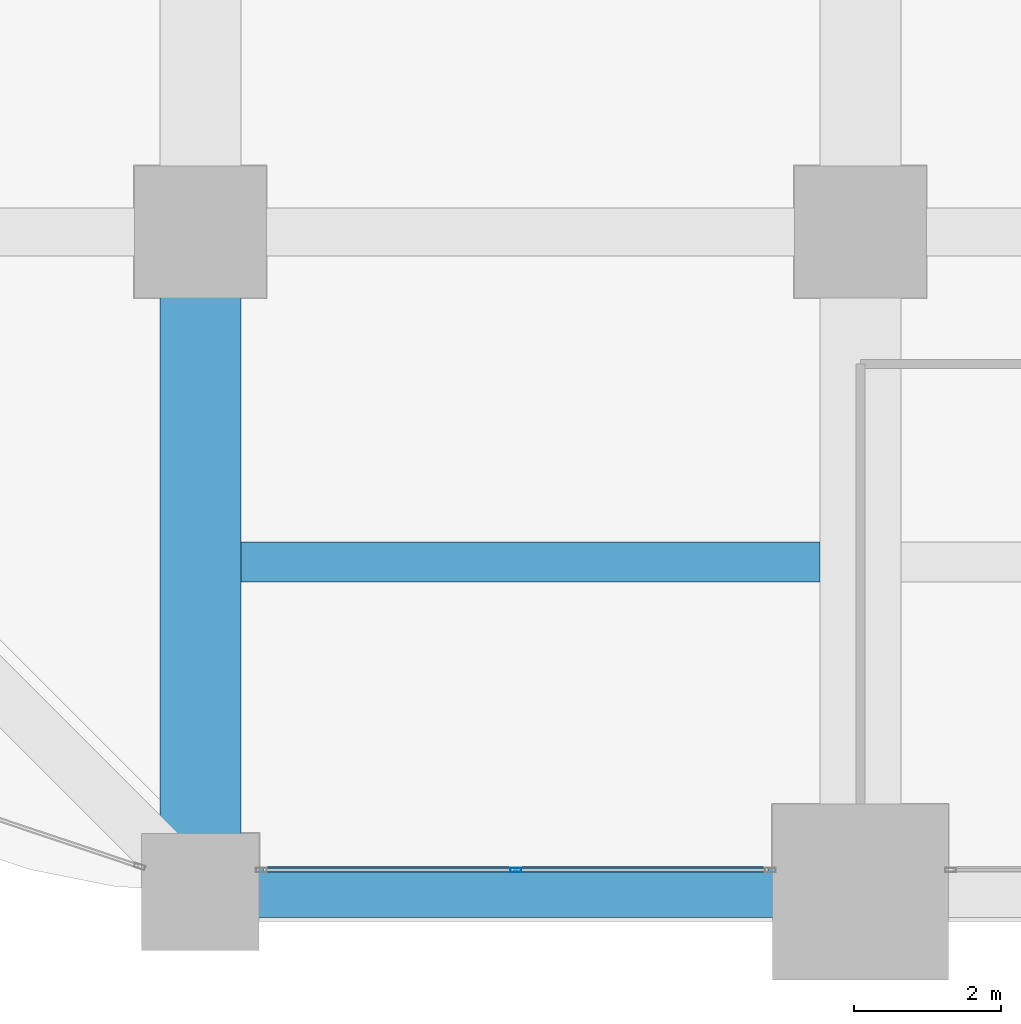
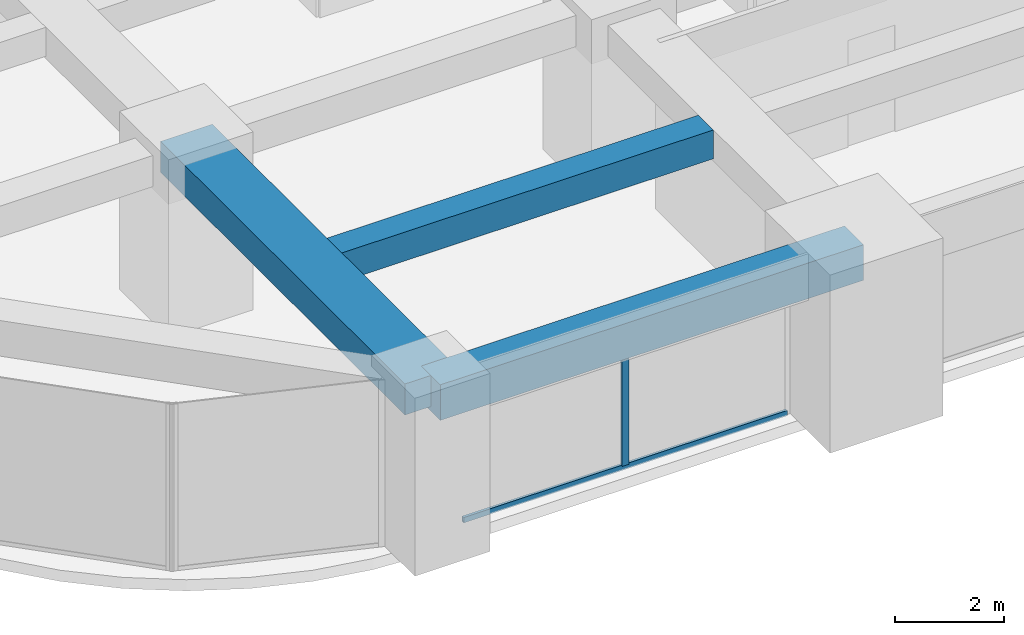
# One storey, part 3 of 39: 3 beams, 2 members, 1 element without a shape of its own.
"""IFC4 building model written with IfcOpenShell, lengths in metres."""

from ifc_helpers import new_model, si_unit, direction, frame, origin, origin_2d, place, context, subcontext, project, spatial, rectangle, hollow_rectangle, extrude, material, material_profile, profile_set, type_object, element, aggregate, save


model = new_model("IFC4")

# Units and contexts
model_context = context("Model", 3, precision=1e-05, world=origin(), true_north=direction((0.0, 1.0)))
body_context = subcontext(model_context, "Body", "Model", "MODEL_VIEW")
ifc_project = project(units=[si_unit("LENGTHUNIT", "METRE"), si_unit("AREAUNIT", "SQUARE_METRE"), si_unit("VOLUMEUNIT", "CUBIC_METRE"), si_unit("PLANEANGLEUNIT", "RADIAN"), si_unit("MASSUNIT", "GRAM", prefix="KILO")], contexts=[model_context])

# Site, building, storey
site_placement = place(None, origin())
site = spatial("IfcSite", under=ifc_project, at=site_placement, CompositionType="ELEMENT")
building_placement = place(site_placement, origin())
building = spatial("IfcBuilding", under=site, at=building_placement, Name="Zorevar Civic Tower", CompositionType="ELEMENT")
storey_placement = place(building_placement, frame((0.0, 0.0, 125.0)))
storey = spatial("IfcBuildingStorey", under=building, at=storey_placement, Name="L30", CompositionType="ELEMENT", Elevation=125.0)

# Beams
ifc_material_1 = material(Name="Concrete C50/60", Category="concrete")
ifc_material_profile_1 = material_profile(ifc_material_1, rectangle(XDim=1.10009765625, YDim=0.699951171875, at=origin_2d()), Name="RC 1100x700")
ifc_profile_set_1 = profile_set([ifc_material_profile_1], Name="Concrete C50/60")
beam_type_1 = type_object("IfcBeamType", Name="Beam RC 1100x700", PredefinedType="BEAM", material=ifc_profile_set_1)
beam_1_placement = place(storey_placement, frame((9.0, 0.0, 3.39990234375), z_axis=(0.0, 1.0, 0.0), x_axis=(-1.0, 0.0, 0.0)))
element("IfcBeam", 1, at=beam_1_placement, inside=storey, type_object=beam_type_1, Name="Girder L31", PredefinedType="BEAM", context=body_context, shape_type="SweptSolid", body=[
    extrude(rectangle(XDim=1.10009765625, YDim=0.699951171875, at=origin_2d()), origin(), (0.0, 0.0, 1.0), 9.0),
])
ifc_material_2 = material(Name="Concrete C50/60", Category="concrete")
ifc_material_profile_2 = material_profile(ifc_material_2, rectangle(XDim=0.550048828125, YDim=0.64990234375, at=origin_2d()), Name="RC 550x650")
ifc_profile_set_2 = profile_set([ifc_material_profile_2], Name="Concrete C50/60")
beam_type_2 = type_object("IfcBeamType", Name="Beam RC 550x650", PredefinedType="BEAM", material=ifc_profile_set_2)
beam_2_placement = place(storey_placement, frame((9.550048828125, 4.5, 3.425048828125), z_axis=(1.0, 0.0, 0.0), x_axis=(0.0, 1.0, 0.0)))
element("IfcBeam", 2, at=beam_2_placement, inside=storey, type_object=beam_type_2, Name="Secondary beam L31", PredefinedType="BEAM", context=body_context, shape_type="SweptSolid", body=[
    extrude(rectangle(XDim=0.550048828125, YDim=0.64990234375, at=origin_2d()), origin(), (0.0, 0.0, 1.0), 7.89990234375),
])

# Curtain wall, members
ifc_material_3 = material(Name="Dark grey solar-control glass in black aluminium frame", Category="aluminium")
curtain_wall_type = type_object("IfcCurtainWallType", Name="Curtain wall CW3 mid zone", PredefinedType="NOTDEFINED", material=ifc_material_3)
curtain_wall_placement = place(storey_placement, origin())
curtain_wall = element("IfcCurtainWall", 3, at=curtain_wall_placement, inside=storey, type_object=curtain_wall_type, Name="CW3 L30", PredefinedType="NOTDEFINED")
ifc_material_4 = material(Name="Aluminium, black anodised", Category="aluminium")
ifc_material_profile_3 = material_profile(ifc_material_4, hollow_rectangle(XDim=0.06005859375, YDim=0.14990234375, WallThickness=0.00390625, at=origin_2d()), Name="AL 150x60x4")
ifc_profile_set_3 = profile_set([ifc_material_profile_3], Name="Aluminium, black anodised")
member_type_1 = type_object("IfcMemberType", Name="CW3 mullion AL 150x60x4", PredefinedType="MULLION", material=ifc_profile_set_3)
member_1_placement = place(storey_placement, frame((13.300048828125, 0.300048828125, 0.06005859375), z_axis=(0.0, 0.0, 1.0), x_axis=(0.0, 1.0, 0.0)))
member_1 = element("IfcMember", 4, at=member_1_placement, type_object=member_type_1, Name="CW3 mullion 2", PredefinedType="MULLION", context=body_context, shape_type="SweptSolid", body=[
    extrude(hollow_rectangle(XDim=0.06005859375, YDim=0.14990234375, WallThickness=0.00390625, at=origin_2d()), origin(), (0.0, 0.0, 1.0), 2.889892578125),
])
ifc_material_5 = material(Name="Aluminium, black anodised", Category="aluminium")
ifc_material_profile_4 = material_profile(ifc_material_5, hollow_rectangle(XDim=0.06005859375, YDim=0.1201171875, WallThickness=0.0029296875, at=origin_2d()), Name="AL 120x60x3")
ifc_profile_set_4 = profile_set([ifc_material_profile_4], Name="Aluminium, black anodised")
member_type_2 = type_object("IfcMemberType", Name="CW3 transom AL 120x60x3", PredefinedType="USERDEFINED", material=ifc_profile_set_4)
member_2_placement = place(storey_placement, frame((9.860107421875, 0.300048828125, 0.030029296875), z_axis=(1.0, 0.0, 0.0), x_axis=(0.0, 1.0, 0.0)))
member_2 = element("IfcMember", 5, at=member_2_placement, type_object=member_type_2, Name="CW3 sill transom", ObjectType="TRANSOM", PredefinedType="USERDEFINED", context=body_context, shape_type="SweptSolid", body=[
    extrude(hollow_rectangle(XDim=0.06005859375, YDim=0.1201171875, WallThickness=0.0029296875, at=origin_2d()), origin(), (0.0, 0.0, 1.0), 6.8798828125),
])
aggregate(curtain_wall, [member_1, member_2])

# Beam
ifc_material_6 = material(Name="Concrete C50/60", Category="concrete")
ifc_material_profile_5 = material_profile(ifc_material_6, rectangle(XDim=0.699951171875, YDim=0.800048828125, at=origin_2d()), Name="RC 700x800")
ifc_profile_set_5 = profile_set([ifc_material_profile_5], Name="Concrete C50/60")
beam_type_3 = type_object("IfcBeamType", Name="Edge beam RC 700x800", PredefinedType="SPANDREL", material=ifc_profile_set_5)
beam_3_placement = place(storey_placement, frame((9.0, 0.0, 3.35009765625), z_axis=(1.0, 0.0, 0.0), x_axis=(0.0, 1.0, 0.0)))
element("IfcBeam", 6, at=beam_3_placement, inside=storey, type_object=beam_type_3, Name="Edge beam L31", PredefinedType="SPANDREL", context=body_context, shape_type="SweptSolid", body=[
    extrude(rectangle(XDim=0.699951171875, YDim=0.800048828125, at=origin_2d()), origin(), (0.0, 0.0, 1.0), 9.0),
])

save(model, "model.ifc")
